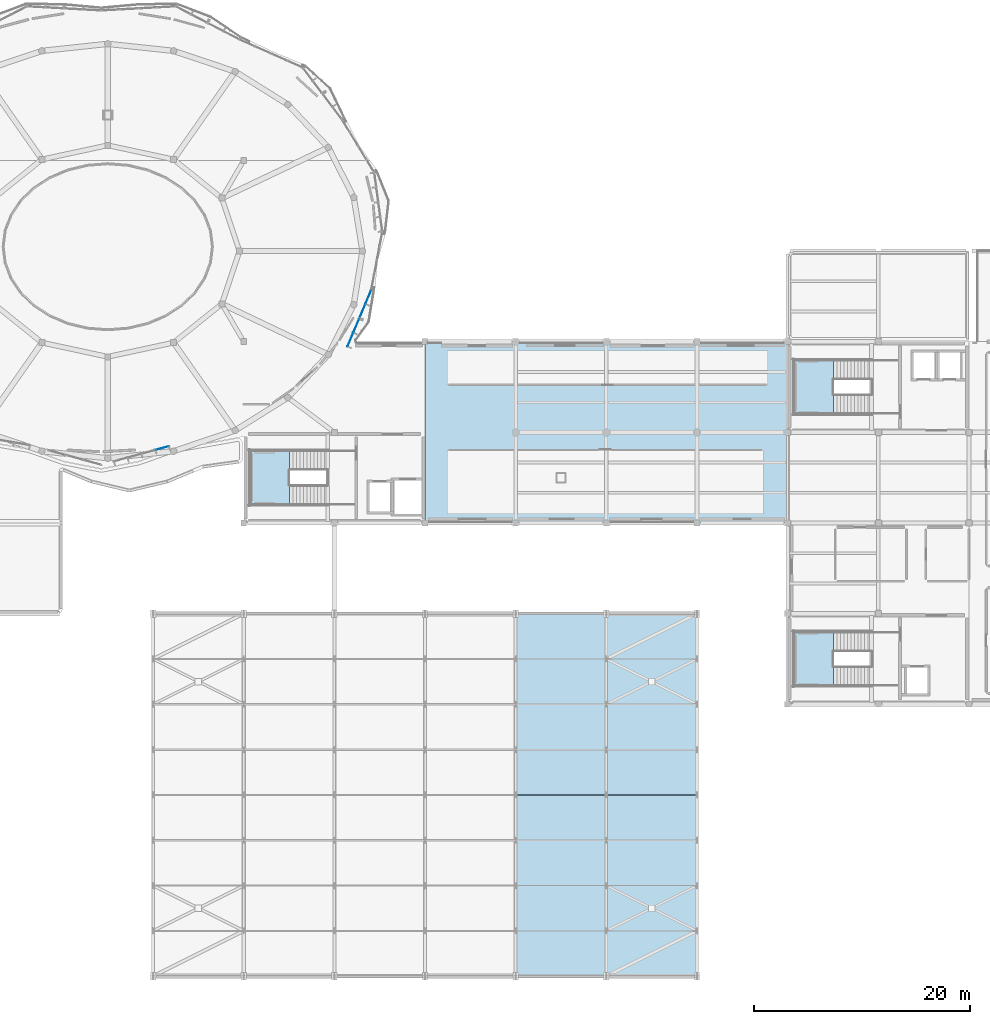
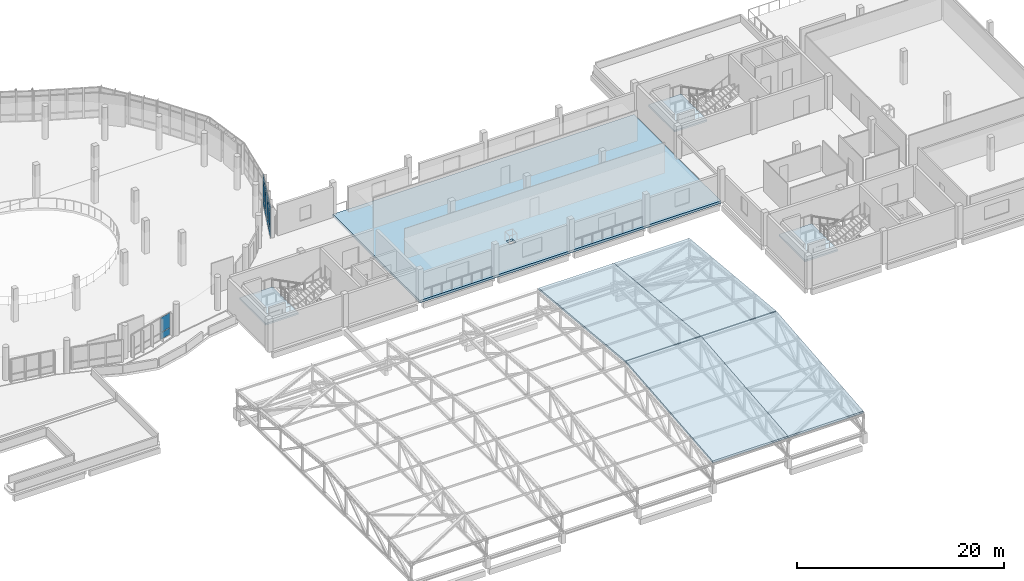
# One storey, part 50 of 74: 14 plates, 8 slabs, 6 elements without a shape of their own.
"""IFC4 building model written with IfcOpenShell, lengths in metres."""

from ifc_helpers import new_model, si_unit, derived_unit, direction, frame, origin, origin_2d, place, context, subcontext, project, spatial, polyline, rectangle, outline, extrude, material, layer, layer_set, type_object, element, aggregate, save


model = new_model("IFC4")

# Units and contexts
model_context = context("Model", 3, precision=1e-05, world=origin(), true_north=direction((0.0, 1.0)))
body_context = subcontext(model_context, "Body", "Model", "MODEL_VIEW")
ifc_project = project(units=[si_unit("LENGTHUNIT", "METRE"), si_unit("AREAUNIT", "SQUARE_METRE"), si_unit("VOLUMEUNIT", "CUBIC_METRE"), si_unit("PLANEANGLEUNIT", "RADIAN"), si_unit("MASSUNIT", "GRAM", prefix="KILO"), derived_unit("THERMALTRANSMITTANCEUNIT", [(si_unit("POWERUNIT", "WATT"), 1), (si_unit("LENGTHUNIT", "METRE"), -2), (si_unit("THERMODYNAMICTEMPERATUREUNIT", "KELVIN"), -1)])], contexts=[model_context])

# Site, building, storey
site_placement = place(None, origin())
site = spatial("IfcSite", under=ifc_project, at=site_placement, CompositionType="ELEMENT")
building_placement = place(site_placement, origin())
building = spatial("IfcBuilding", under=site, at=building_placement, Name="Elbkamm Science Centre", CompositionType="ELEMENT")
storey_placement = place(building_placement, frame((0.0, 0.0, 14.39990234375)))
storey = spatial("IfcBuildingStorey", under=building, at=storey_placement, Name="L03", CompositionType="ELEMENT", Elevation=14.39990234375)

# Curtain wall, plates
ifc_material_1 = material(Name="Powder-coated aluminium and triple low-E glazing", Category="aluminium")
ifc_layer_1 = layer(ifc_material_1, 0.159912109375)
ifc_layer_set_1 = layer_set([ifc_layer_1], Name="Powder-coated aluminium and triple low-E glazing")
curtain_wall_type_1 = type_object("IfcCurtainWallType", Name="CW-UNIT-5360x2680", PredefinedType="USERDEFINED", material=ifc_layer_set_1)
curtain_wall_1_placement = place(storey_placement, origin())
curtain_wall_1 = element("IfcCurtainWall", 1, at=curtain_wall_1_placement, inside=storey, type_object=curtain_wall_type_1, Name="L03 Unitised Curtain Wall 071", ObjectType="UNITISED CURTAIN WALL", PredefinedType="USERDEFINED")
ifc_material_2 = material(Name="Triple solar-control insulated safety glass", Category="glass")
ifc_layer_2 = layer(ifc_material_2, 0.0400390625)
ifc_layer_set_2 = layer_set([ifc_layer_2], Name="Triple solar-control insulated safety glass")
plate_type = type_object("IfcPlateType", Name="CW-PNL-40", PredefinedType="CURTAIN_PANEL", material=ifc_layer_set_2)
plate_1_placement = place(storey_placement, frame((68.03857421875, 48.934326171875, 0.06005859375), z_axis=(0.0, 0.0, 1.0), x_axis=(0.964047563143, 0.265729742405, 0.0)))
plate_1 = element("IfcPlate", 2, at=plate_1_placement, type_object=plate_type, Name="CW-030 panel 4.1", PredefinedType="CURTAIN_PANEL", context=body_context, shape_type="SweptSolid", body=[
    extrude(rectangle(XDim=1.248779296875, YDim=0.0400390625, at=origin_2d()), origin(), (0.0, 0.0, 1.0), 0.760009765625),
])
plate_2_placement = place(storey_placement, frame((68.03857421875, 48.934326171875, 0.880126953125), z_axis=(0.0, 0.0, 1.0), x_axis=(0.964047563143, 0.265729742405, 0.0)))
plate_2 = element("IfcPlate", 3, at=plate_2_placement, type_object=plate_type, Name="CW-030 panel 4.2", PredefinedType="CURTAIN_PANEL", context=body_context, shape_type="SweptSolid", body=[
    extrude(rectangle(XDim=1.248779296875, YDim=0.0400390625, at=origin_2d()), origin(), (0.0, 0.0, 1.0), 1.72998046875),
])
aggregate(curtain_wall_1, [plate_1, plate_2])

ifc_layer_3 = layer(ifc_material_1, 0.159912109375)
ifc_layer_set_3 = layer_set([ifc_layer_3], Name="Powder-coated aluminium and triple low-E glazing")
curtain_wall_type_2 = type_object("IfcCurtainWallType", Name="CW-UNIT-2820x3620", PredefinedType="USERDEFINED", material=ifc_layer_set_3)
curtain_wall_2_placement = place(storey_placement, origin())
curtain_wall_2 = element("IfcCurtainWall", 4, at=curtain_wall_2_placement, inside=storey, type_object=curtain_wall_type_2, Name="L03 Unitised Curtain Wall 072", ObjectType="UNITISED CURTAIN WALL", PredefinedType="USERDEFINED")
plate_3_placement = place(storey_placement, frame((85.4853515625, 58.994384765625, 0.06005859375), z_axis=(0.0, 0.0, 1.0), x_axis=(0.387958434175, 0.921676870358, 0.0)))
plate_3 = element("IfcPlate", 5, at=plate_3_placement, type_object=plate_type, Name="CW-021 panel 1.1", PredefinedType="CURTAIN_PANEL", context=body_context, shape_type="SweptSolid", body=[
    extrude(rectangle(XDim=1.316162109375, YDim=0.0400390625, at=origin_2d()), origin(), (0.0, 0.0, 1.0), 0.760009765625),
])
plate_4_placement = place(storey_placement, frame((85.4853515625, 58.994384765625, 0.880126953125), z_axis=(0.0, 0.0, 1.0), x_axis=(0.387958434175, 0.921676870358, 0.0)))
plate_4 = element("IfcPlate", 6, at=plate_4_placement, type_object=plate_type, Name="CW-021 panel 1.2", PredefinedType="CURTAIN_PANEL", context=body_context, shape_type="SweptSolid", body=[
    extrude(rectangle(XDim=1.316162109375, YDim=0.0400390625, at=origin_2d()), origin(), (0.0, 0.0, 1.0), 2.06005859375),
])
plate_5_placement = place(storey_placement, frame((85.4853515625, 58.994384765625, 3.0), z_axis=(0.0, 0.0, 1.0), x_axis=(0.387958434175, 0.921676870358, 0.0)))
plate_5 = element("IfcPlate", 7, at=plate_5_placement, type_object=plate_type, Name="CW-021 panel 1.3", PredefinedType="CURTAIN_PANEL", context=body_context, shape_type="SweptSolid", body=[
    extrude(rectangle(XDim=1.316162109375, YDim=0.0400390625, at=origin_2d()), origin(), (0.0, 0.0, 1.0), 0.56005859375),
])
plate_6_placement = place(storey_placement, frame((86.019287109375, 60.2626953125, 0.06005859375), z_axis=(0.0, 0.0, 1.0), x_axis=(0.387958434175, 0.921676870358, 0.0)))
plate_6 = element("IfcPlate", 8, at=plate_6_placement, type_object=plate_type, Name="CW-021 panel 2.1", PredefinedType="CURTAIN_PANEL", context=body_context, shape_type="SweptSolid", body=[
    extrude(rectangle(XDim=1.316162109375, YDim=0.0400390625, at=origin_2d()), origin(), (0.0, 0.0, 1.0), 0.760009765625),
])
plate_7_placement = place(storey_placement, frame((86.019287109375, 60.2626953125, 0.880126953125), z_axis=(0.0, 0.0, 1.0), x_axis=(0.387958434175, 0.921676870358, 0.0)))
plate_7 = element("IfcPlate", 9, at=plate_7_placement, type_object=plate_type, Name="CW-021 panel 2.2", PredefinedType="CURTAIN_PANEL", context=body_context, shape_type="SweptSolid", body=[
    extrude(rectangle(XDim=1.316162109375, YDim=0.0400390625, at=origin_2d()), origin(), (0.0, 0.0, 1.0), 2.06005859375),
])
plate_8_placement = place(storey_placement, frame((86.019287109375, 60.2626953125, 3.0), z_axis=(0.0, 0.0, 1.0), x_axis=(0.387958434175, 0.921676870358, 0.0)))
plate_8 = element("IfcPlate", 10, at=plate_8_placement, type_object=plate_type, Name="CW-021 panel 2.3", PredefinedType="CURTAIN_PANEL", context=body_context, shape_type="SweptSolid", body=[
    extrude(rectangle(XDim=1.316162109375, YDim=0.0400390625, at=origin_2d()), origin(), (0.0, 0.0, 1.0), 0.56005859375),
])
aggregate(curtain_wall_2, [plate_3, plate_4, plate_5, plate_6, plate_7, plate_8])

curtain_wall_3_placement = place(storey_placement, origin())
curtain_wall_3 = element("IfcCurtainWall", 11, at=curtain_wall_3_placement, inside=storey, type_object=curtain_wall_type_2, Name="L03 Unitised Curtain Wall 073", ObjectType="UNITISED CURTAIN WALL", PredefinedType="USERDEFINED")
plate_9_placement = place(storey_placement, frame((86.607421875, 61.659912109375, 0.06005859375), z_axis=(0.0, 0.0, 1.0), x_axis=(0.387958434175, 0.921676870358, 0.0)))
plate_9 = element("IfcPlate", 12, at=plate_9_placement, type_object=plate_type, Name="CW-021 panel 1.1", PredefinedType="CURTAIN_PANEL", context=body_context, shape_type="SweptSolid", body=[
    extrude(rectangle(XDim=1.316162109375, YDim=0.0400390625, at=origin_2d()), origin(), (0.0, 0.0, 1.0), 0.760009765625),
])
plate_10_placement = place(storey_placement, frame((86.607421875, 61.659912109375, 0.880126953125), z_axis=(0.0, 0.0, 1.0), x_axis=(0.387958434175, 0.921676870358, 0.0)))
plate_10 = element("IfcPlate", 13, at=plate_10_placement, type_object=plate_type, Name="CW-021 panel 1.2", PredefinedType="CURTAIN_PANEL", context=body_context, shape_type="SweptSolid", body=[
    extrude(rectangle(XDim=1.316162109375, YDim=0.0400390625, at=origin_2d()), origin(), (0.0, 0.0, 1.0), 2.06005859375),
])
plate_11_placement = place(storey_placement, frame((86.607421875, 61.659912109375, 3.0), z_axis=(0.0, 0.0, 1.0), x_axis=(0.387958434175, 0.921676870358, 0.0)))
plate_11 = element("IfcPlate", 14, at=plate_11_placement, type_object=plate_type, Name="CW-021 panel 1.3", PredefinedType="CURTAIN_PANEL", context=body_context, shape_type="SweptSolid", body=[
    extrude(rectangle(XDim=1.316162109375, YDim=0.0400390625, at=origin_2d()), origin(), (0.0, 0.0, 1.0), 0.56005859375),
])
plate_12_placement = place(storey_placement, frame((87.141357421875, 62.92822265625, 0.06005859375), z_axis=(0.0, 0.0, 1.0), x_axis=(0.387958434175, 0.921676870358, 0.0)))
plate_12 = element("IfcPlate", 15, at=plate_12_placement, type_object=plate_type, Name="CW-021 panel 2.1", PredefinedType="CURTAIN_PANEL", context=body_context, shape_type="SweptSolid", body=[
    extrude(rectangle(XDim=1.316162109375, YDim=0.0400390625, at=origin_2d()), origin(), (0.0, 0.0, 1.0), 0.760009765625),
])
plate_13_placement = place(storey_placement, frame((87.141357421875, 62.92822265625, 0.880126953125), z_axis=(0.0, 0.0, 1.0), x_axis=(0.387958434175, 0.921676870358, 0.0)))
plate_13 = element("IfcPlate", 16, at=plate_13_placement, type_object=plate_type, Name="CW-021 panel 2.2", PredefinedType="CURTAIN_PANEL", context=body_context, shape_type="SweptSolid", body=[
    extrude(rectangle(XDim=1.316162109375, YDim=0.0400390625, at=origin_2d()), origin(), (0.0, 0.0, 1.0), 2.06005859375),
])
plate_14_placement = place(storey_placement, frame((87.141357421875, 62.92822265625, 3.0), z_axis=(0.0, 0.0, 1.0), x_axis=(0.387958434175, 0.921676870358, 0.0)))
plate_14 = element("IfcPlate", 17, at=plate_14_placement, type_object=plate_type, Name="CW-021 panel 2.3", PredefinedType="CURTAIN_PANEL", context=body_context, shape_type="SweptSolid", body=[
    extrude(rectangle(XDim=1.316162109375, YDim=0.0400390625, at=origin_2d()), origin(), (0.0, 0.0, 1.0), 0.56005859375),
])
aggregate(curtain_wall_3, [plate_9, plate_10, plate_11, plate_12, plate_13, plate_14])

# Slab
ifc_material_3 = material(Name="Reinforced concrete C40/50", Category="concrete")
ifc_layer_4 = layer(ifc_material_3, 0.280029296875)
ifc_layer_set_4 = layer_set([ifc_layer_4], Name="Reinforced concrete C40/50")
slab_type_1 = type_object("IfcSlabType", Name="SLAB-FLR-280", PredefinedType="FLOOR", material=ifc_layer_set_4)
slab_1_placement = place(storey_placement, frame((0.0, 0.0, -0.27978515625)))
element("IfcSlab", 18, at=slab_1_placement, inside=storey, type_object=slab_type_1, Name="L03 Structural Slab MM-04", PredefinedType="FLOOR", context=body_context, shape_type="SweptSolid", body=[
    extrude(outline(polyline([(125.97509765625, 42.0), (92.39990234375, 42.0), (92.39990234375, 58.800048828125), (125.97509765625, 58.800048828125), (125.97509765625, 42.0)]), holes=[polyline([(105.35009765625, 46.550048828125), (104.64990234375, 46.550048828125), (104.64990234375, 45.85009765625), (105.35009765625, 45.85009765625), (105.35009765625, 46.550048828125)])]), origin(), (0.0, 0.0, 1.0), 0.27978515625),
])

# Stair, slab
stair_type = type_object("IfcStairType", Name="ST-TWO-24R-182", PredefinedType="USERDEFINED", material=ifc_material_3)
stair_1_placement = place(storey_placement, origin())
stair_1 = element("IfcStair", 19, at=stair_1_placement, inside=storey, type_object=stair_type, Name="L03 Core C2 Central Exhibition and Skybridge Core Escape Stair", ObjectType="TWO_RETURN_STAIR", PredefinedType="USERDEFINED")
ifc_layer_5 = layer(ifc_material_3, 0.199951171875)
ifc_layer_set_5 = layer_set([ifc_layer_5], Name="Reinforced concrete C40/50")
slab_type_2 = type_object("IfcSlabType", Name="SLAB-LAND-200", PredefinedType="LANDING", material=ifc_layer_set_5)
slab_2_placement = place(storey_placement, frame((0.0, 0.0, 1.75)))
slab_2 = element("IfcSlab", 20, at=slab_2_placement, type_object=slab_type_2, Name="ST-C2 landing 1", PredefinedType="LANDING", context=body_context, shape_type="SweptSolid", body=[
    extrude(outline(polyline([(79.860107421875, 48.719970703125), (76.199951171875, 48.719970703125), (76.199951171875, 43.679931640625), (79.860107421875, 43.679931640625), (79.860107421875, 48.719970703125)])), origin(), (0.0, 0.0, 1.0), 0.2001953125),
])
aggregate(stair_1, [slab_2])

stair_2_placement = place(storey_placement, origin())
stair_2 = element("IfcStair", 21, at=stair_2_placement, inside=storey, type_object=stair_type, Name="L03 Core C3 Northeast Laboratories and Observatory Core Escape Stair", ObjectType="TWO_RETURN_STAIR", PredefinedType="USERDEFINED")
slab_3_placement = place(storey_placement, frame((0.0, 0.0, 1.75)))
slab_3 = element("IfcSlab", 22, at=slab_3_placement, type_object=slab_type_2, Name="ST-C3 landing 1", PredefinedType="LANDING", context=body_context, shape_type="SweptSolid", body=[
    extrude(outline(polyline([(130.260009765625, 57.1201171875), (126.60009765625, 57.1201171875), (126.60009765625, 52.080078125), (130.260009765625, 52.080078125), (130.260009765625, 57.1201171875)])), origin(), (0.0, 0.0, 1.0), 0.2001953125),
])
aggregate(stair_2, [slab_3])

stair_3_placement = place(storey_placement, origin())
stair_3 = element("IfcStair", 23, at=stair_3_placement, inside=storey, type_object=stair_type, Name="L03 Core C4 Southeast Workshops and Library Core Escape Stair", ObjectType="TWO_RETURN_STAIR", PredefinedType="USERDEFINED")
slab_4_placement = place(storey_placement, frame((0.0, 0.0, 1.75)))
slab_4 = element("IfcSlab", 24, at=slab_4_placement, type_object=slab_type_2, Name="ST-C4 landing 1", PredefinedType="LANDING", context=body_context, shape_type="SweptSolid", body=[
    extrude(outline(polyline([(130.260009765625, 31.919921875), (126.60009765625, 31.919921875), (126.60009765625, 26.8798828125), (130.260009765625, 26.8798828125), (130.260009765625, 31.919921875)])), origin(), (0.0, 0.0, 1.0), 0.2001953125),
])
aggregate(stair_3, [slab_4])

# Slabs
ifc_layer_6 = layer(ifc_material_3, 0.239990234375)
ifc_layer_set_6 = layer_set([ifc_layer_6], Name="Reinforced concrete C40/50")
slab_type_3 = type_object("IfcSlabType", Name="SLAB-ROOF-240", PredefinedType="ROOF", material=ifc_layer_set_6)
for number, where, z_axis, x_axis, name in (
    (25, (100.800048828125, 0.0, 3.636962890625), (0.0, -0.094334821049, 0.99554052732), (1.0, 0.0, 0.0), "Science Theatre South Sloped Roof Slab Bay 5"),
    (26, (100.800048828125, 16.840087890625, 5.22509765625), (0.0, 0.094334821049, 0.99554052732), (1.0, 0.0, 0.0), "Science Theatre North Sloped Roof Slab Bay 5"),
):
    element("IfcSlab", number, at=place(storey_placement, frame(where, z_axis=z_axis, x_axis=x_axis)), inside=storey, type_object=slab_type_3, Name=name, PredefinedType="ROOF", context=body_context, shape_type="SweptSolid", body=[
        extrude(outline(polyline([(0.0, 0.0), (8.39990234375, 0.0), (8.39990234375, 16.835085368884595), (0.0, 16.835085368884595), (0.0, 0.0)])), origin(), (0.0, 0.0, -1.0), 0.239990234375),
    ])
for number, where, z_axis, x_axis, name in (
    (27, (109.199951171875, 0.0, 3.636962890625), (0.0, -0.094334821049, 0.99554052732), (1.0, 0.0, 0.0), "Science Theatre South Sloped Roof Slab Bay 6"),
    (28, (109.199951171875, 16.840087890625, 5.22509765625), (0.0, 0.094334821049, 0.99554052732), (1.0, 0.0, 0.0), "Science Theatre North Sloped Roof Slab Bay 6"),
):
    element("IfcSlab", number, at=place(storey_placement, frame(where, z_axis=z_axis, x_axis=x_axis)), inside=storey, type_object=slab_type_3, Name=name, PredefinedType="ROOF", context=body_context, shape_type="SweptSolid", body=[
        extrude(outline(polyline([(0.0, 0.0), (8.400146484375, 0.0), (8.400146484375, 16.835085368884595), (0.0, 16.835085368884595), (0.0, 0.0)])), origin(), (0.0, 0.0, -1.0), 0.239990234375),
    ])

save(model, "model.ifc")
